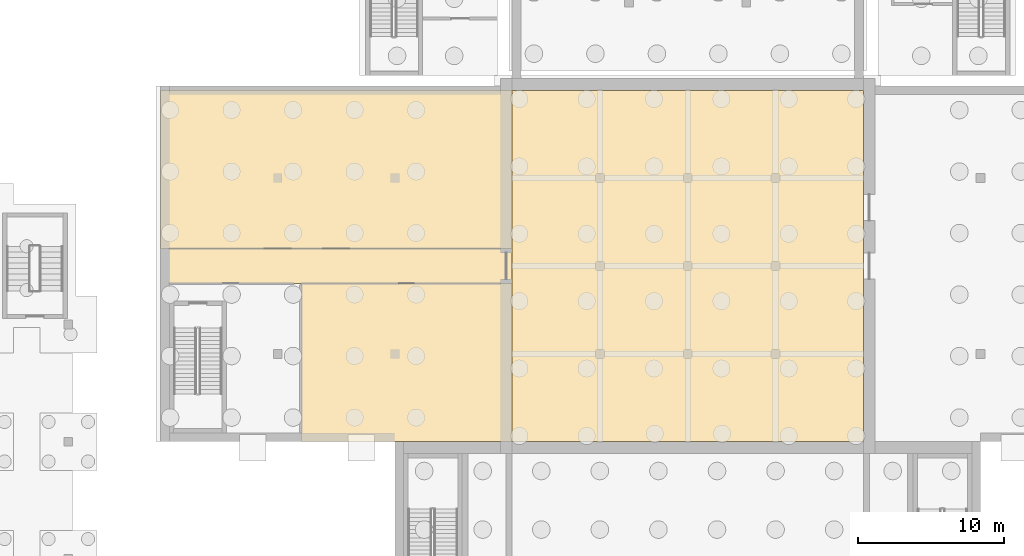
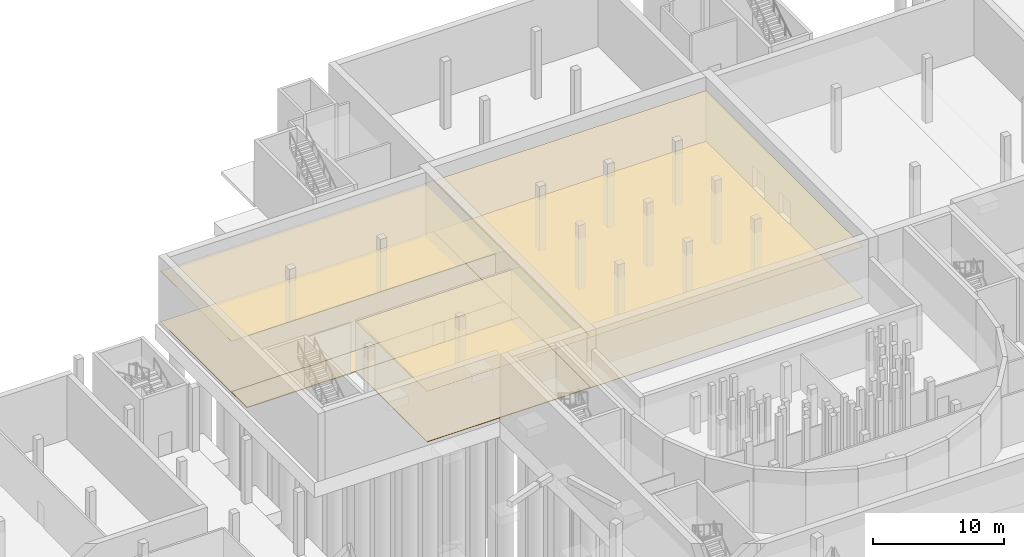
# One storey, part 53 of 66: 7 coverings.
"""IFC4 building model written with IfcOpenShell, lengths in metres."""

from ifc_helpers import new_model, si_unit, direction, frame, origin, place, context, subcontext, project, spatial, polyline, outline, extrude, material, layer, layer_set, type_object, element, save


model = new_model("IFC4")

# Units and contexts
model_context = context("Model", 3, precision=1e-05, world=origin(), true_north=direction((0.0, 1.0)))
body_context = subcontext(model_context, "Body", "Model", "MODEL_VIEW")
ifc_project = project(units=[si_unit("LENGTHUNIT", "METRE"), si_unit("AREAUNIT", "SQUARE_METRE"), si_unit("VOLUMEUNIT", "CUBIC_METRE"), si_unit("PLANEANGLEUNIT", "RADIAN"), si_unit("MASSUNIT", "GRAM", prefix="KILO")], contexts=[model_context])

# Site, building, storey
site_placement = place(None, origin())
site = spatial("IfcSite", under=ifc_project, at=site_placement, CompositionType="ELEMENT")
building_placement = place(site_placement, origin())
building = spatial("IfcBuilding", under=site, at=building_placement, Name="Lunette Opera House", CompositionType="ELEMENT")
storey_placement = place(building_placement, frame((0.0, 0.0, -6.0)))
storey = spatial("IfcBuildingStorey", under=building, at=storey_placement, Name="B1", CompositionType="ELEMENT", Elevation=-6.0)

# Coverings
ifc_material_1 = material(Name="Cement screed")
ifc_layer_1 = layer(ifc_material_1, 0.070068359375)
ifc_layer_set_1 = layer_set([ifc_layer_1], Name="Cement screed")
covering_type_1 = type_object("IfcCoveringType", Name="SCREED FLOOR FINISH 70", PredefinedType="FLOORING", material=ifc_layer_set_1)
covering_1_placement = place(storey_placement, origin())
element("IfcCovering", 1, at=covering_1_placement, inside=storey, type_object=covering_type_1, Name="Floor finish Rear Stage Store", PredefinedType="FLOORING", context=body_context, shape_type="SweptSolid", body=[
    extrude(outline(polyline([(84.0, 96.0), (69.591064453125, 96.0), (69.591064453125, 106.800048828125), (84.0, 106.800048828125), (84.0, 96.0)])), origin(), (0.0, 0.0, 1.0), 0.070068359375),
])
covering_2_placement = place(storey_placement, origin())
element("IfcCovering", 2, at=covering_2_placement, inside=storey, type_object=covering_type_1, Name="Floor finish Stage Service Corridor", PredefinedType="FLOORING", context=body_context, shape_type="SweptSolid", body=[
    extrude(outline(polyline([(84.0, 109.199951171875), (84.0, 106.800048828125), (60.0, 106.800048828125), (60.0, 109.199951171875), (84.0, 109.199951171875)])), origin(), (0.0, 0.0, 1.0), 0.070068359375),
])
ifc_material_2 = material(Name="Mineral fibre board")
ifc_layer_2 = layer(ifc_material_2, 0.014892578125)
ifc_layer_set_2 = layer_set([ifc_layer_2], Name="Mineral fibre board")
covering_type_2 = type_object("IfcCoveringType", Name="SUSPENDED ACOUSTIC CEILING 15", PredefinedType="CEILING", material=ifc_layer_set_2)
covering_3_placement = place(storey_placement, frame((0.0, 0.0, 4.735107421875)))
element("IfcCovering", 3, at=covering_3_placement, inside=storey, type_object=covering_type_2, Name="Ceiling Main Stage Trap Room", PredefinedType="CEILING", context=body_context, shape_type="SweptSolid", body=[
    extrude(outline(polyline([(108.0, 96.0), (108.0, 120.0), (84.0, 120.0), (84.0, 96.0), (108.0, 96.0)])), origin(), (0.0, 0.0, 1.0), 0.014892578125),
])
covering_4_placement = place(storey_placement, frame((0.0, 0.0, 4.735107421875)))
element("IfcCovering", 4, at=covering_4_placement, inside=storey, type_object=covering_type_2, Name="Ceiling Side Stage West Trap Room", PredefinedType="CEILING", context=body_context, shape_type="SweptSolid", body=[
    extrude(outline(polyline([(84.0, 120.0), (84.0, 109.199951171875), (60.0, 109.199951171875), (60.0, 120.0), (84.0, 120.0)])), origin(), (0.0, 0.0, 1.0), 0.014892578125),
])
covering_5_placement = place(storey_placement, frame((0.0, 0.0, 4.735107421875)))
element("IfcCovering", 5, at=covering_5_placement, inside=storey, type_object=covering_type_2, Name="Ceiling Rear Stage Store", PredefinedType="CEILING", context=body_context, shape_type="SweptSolid", body=[
    extrude(outline(polyline([(84.0, 96.0), (69.591064453125, 96.0), (69.591064453125, 106.800048828125), (84.0, 106.800048828125), (84.0, 96.0)])), origin(), (0.0, 0.0, 1.0), 0.014892578125),
])
ifc_material_3 = material(Name="Timber", Category="wood")
ifc_layer_3 = layer(ifc_material_3, 0.0400390625)
ifc_layer_set_3 = layer_set([ifc_layer_3], Name="Timber")
covering_type_3 = type_object("IfcCoveringType", Name="TIMBER FLOOR FINISH 40", PredefinedType="FLOORING", material=ifc_layer_set_3)
covering_6_placement = place(storey_placement, origin())
element("IfcCovering", 6, at=covering_6_placement, inside=storey, type_object=covering_type_3, Name="Floor finish Main Stage Trap Room", PredefinedType="FLOORING", context=body_context, shape_type="SweptSolid", body=[
    extrude(outline(polyline([(108.0, 96.0), (108.0, 120.0), (84.0, 120.0), (84.0, 96.0), (108.0, 96.0)])), origin(), (0.0, 0.0, 1.0), 0.0400390625),
])
covering_7_placement = place(storey_placement, origin())
element("IfcCovering", 7, at=covering_7_placement, inside=storey, type_object=covering_type_3, Name="Floor finish Side Stage West Trap Room", PredefinedType="FLOORING", context=body_context, shape_type="SweptSolid", body=[
    extrude(outline(polyline([(84.0, 120.0), (84.0, 109.199951171875), (60.0, 109.199951171875), (60.0, 120.0), (84.0, 120.0)])), origin(), (0.0, 0.0, 1.0), 0.0400390625),
])

save(model, "model.ifc")
